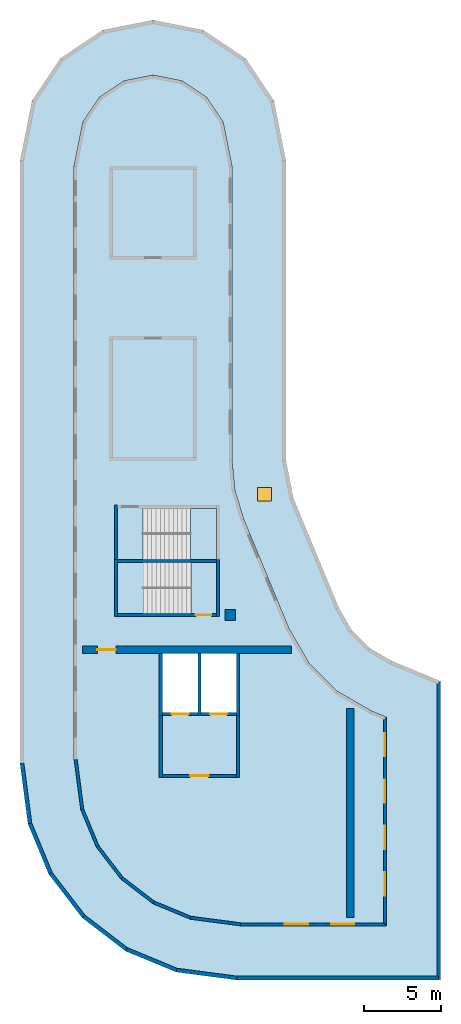
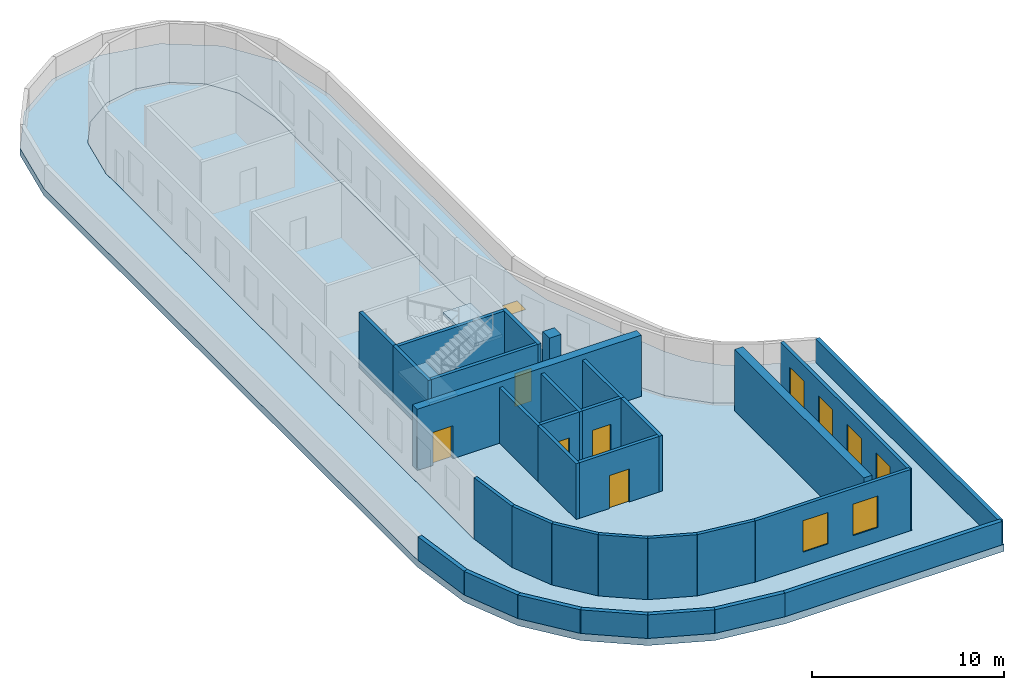
# One storey, part 1 of 4: 31 walls, 6 doors, 6 windows, 4 slabs, 1 column, 12 openings, 2 elements without a shape of their own.
"""IFC4 building model written with IfcOpenShell, lengths in metres."""

from ifc_helpers import new_model, si_unit, direction, frame, frame_2d, origin, origin_2d, place, context, subcontext, project, spatial, polyline, rectangle, outline, extrude, material, layer, layer_set, material_profile, profile_set, type_object, element, fill, aggregate, save


model = new_model("IFC4")

# Units and contexts
model_context = context("Model", 3, precision=1e-05, world=origin(), true_north=direction((0.0, 1.0)))
body_context = subcontext(model_context, "Body", "Model", "MODEL_VIEW")
ifc_project = project(units=[si_unit("LENGTHUNIT", "METRE"), si_unit("AREAUNIT", "SQUARE_METRE"), si_unit("VOLUMEUNIT", "CUBIC_METRE"), si_unit("PLANEANGLEUNIT", "RADIAN"), si_unit("MASSUNIT", "GRAM", prefix="KILO")], contexts=[model_context])

# Site, building, storey
site_placement = place(None, origin())
site = spatial("IfcSite", under=ifc_project, at=site_placement, CompositionType="ELEMENT")
building_placement = place(site_placement, origin())
building = spatial("IfcBuilding", under=site, at=building_placement, Name="Qaws Garden Tower", CompositionType="ELEMENT")
storey_placement = place(building_placement, frame((0.0, 0.0, 373.800048828125)))
storey = spatial("IfcBuildingStorey", under=building, at=storey_placement, Name="C3", CompositionType="ELEMENT", Elevation=373.800048828125)

# Column
ifc_material_1 = material(Name="Concrete C60", Category="concrete")
ifc_material_profile = material_profile(ifc_material_1, rectangle(XDim=0.699951171875, YDim=0.699951171875, at=origin_2d()), Name="RC 700x700")
ifc_profile_set = profile_set([ifc_material_profile], Name="Concrete C60")
column_type = type_object("IfcColumnType", Name="Column RC 700x700 C60", PredefinedType="COLUMN", material=ifc_profile_set)
column_placement = place(storey_placement, frame((20.0, 30.0, 0.0), z_axis=(0.0, 0.0, 1.0), x_axis=(1.0, 0.0, 0.0)))
element("IfcColumn", 1, at=column_placement, inside=storey, type_object=column_type, Name="Column C3-001", PredefinedType="COLUMN", context=body_context, shape_type="SweptSolid", body=[
    extrude(rectangle(XDim=0.699951171875, YDim=0.699951171875, at=origin_2d()), origin(), (0.0, 0.0, 1.0), 3.89990234375),
])

# Slab
ifc_material_2 = material(Name="Concrete C45", Category="concrete")
ifc_layer_1 = layer(ifc_material_2, 0.449951171875)
ifc_layer_set_1 = layer_set([ifc_layer_1], Name="Concrete C45")
slab_type_1 = type_object("IfcSlabType", Name="Floor slab 450 C45", PredefinedType="FLOOR", material=ifc_layer_set_1)
placement_1 = place(storey_placement, frame((0.0, 0.0, -0.449951171875)))
element("IfcSlab", 2, at=placement_1, inside=storey, type_object=slab_type_1, Name="Floor slab C3", PredefinedType="FLOOR", context=body_context, shape_type="SweptSolid", body=[
    extrude(outline(polyline([(17.407958984375, 10.32666015625), (14.99267578125, 11.3271484375), (12.918701171875, 12.918701171875), (11.3271484375, 14.99267578125), (10.32666015625, 17.407958984375), (9.89990234375, 20.64892578125), (9.89990234375, 59.02490234375), (10.46728515625, 61.87744140625), (11.531005859375, 63.468994140625), (13.12255859375, 64.53271484375), (15.0, 64.906005859375), (16.87744140625, 64.53271484375), (18.468994140625, 63.468994140625), (19.53271484375, 61.87744140625), (20.10009765625, 59.02490234375), (20.10009765625, 40.0), (20.290283203125, 38.068603515625), (20.853515625, 36.21142578125), (23.782470703125, 29.140380859375), (25.07470703125, 26.902099609375), (26.902099609375, 25.07470703125), (29.140380859375, 23.782470703125), (30.10009765625, 23.385009765625), (30.10009765625, 9.89990234375), (20.64892578125, 9.89990234375), (17.407958984375, 10.32666015625)]), holes=[polyline([(15.60009765625, 23.699951171875), (17.89990234375, 23.699951171875), (17.89990234375, 27.5), (15.60009765625, 27.5), (15.60009765625, 23.699951171875)]), polyline([(18.10009765625, 23.699951171875), (20.39990234375, 23.699951171875), (20.39990234375, 27.5), (18.10009765625, 27.5), (18.10009765625, 23.699951171875)]), polyline([(12.699951171875, 30.10009765625), (17.449462890625, 30.10009765625), (17.449462890625, 33.39990234375), (12.699951171875, 33.39990234375), (12.699951171875, 30.10009765625)]), polyline([(14.3505859375, 33.60009765625), (19.10009765625, 33.60009765625), (19.10009765625, 36.89990234375), (14.3505859375, 36.89990234375), (14.3505859375, 33.60009765625)])]), origin(), (0.0, 0.0, 1.0), 0.449951171875),
])

# Stair, slab
ifc_material_3 = material(Name="Concrete C40", Category="concrete")
stair_type = type_object("IfcStairType", Name="Exit stair 1350", PredefinedType="HALF_TURN_STAIR", material=ifc_material_3)
placement_2 = place(storey_placement, origin())
stair_1 = element("IfcStair", 3, at=placement_2, inside=storey, type_object=stair_type, Name="Stair 1", PredefinedType="HALF_TURN_STAIR")
ifc_material_4 = material(Name="Concrete C40", Category="concrete")
ifc_layer_2 = layer(ifc_material_4, 0.199951171875)
ifc_layer_set_2 = layer_set([ifc_layer_2], Name="Concrete C40")
slab_type_2 = type_object("IfcSlabType", Name="Stair landing 200", PredefinedType="LANDING", material=ifc_layer_set_2)
placement_3 = place(storey_placement, frame((0.0, 0.0, 1.75)))
slab_2 = element("IfcSlab", 4, at=placement_3, type_object=slab_type_2, Name="CS1 landing 1", PredefinedType="LANDING", context=body_context, shape_type="SweptSolid", body=[
    extrude(outline(polyline([(12.699951171875, 30.10009765625), (14.3701171875, 30.10009765625), (14.3701171875, 33.39990234375), (12.699951171875, 33.39990234375), (12.699951171875, 30.10009765625)])), origin(), (0.0, 0.0, 1.0), 0.199951171875),
])
aggregate(stair_1, [slab_2])

stair_2 = element("IfcStair", 5, at=placement_2, inside=storey, type_object=stair_type, Name="Stair 2", PredefinedType="HALF_TURN_STAIR")
slab_3 = element("IfcSlab", 6, at=placement_3, type_object=slab_type_2, Name="CS2 landing 1", PredefinedType="LANDING", context=body_context, shape_type="SweptSolid", body=[
    extrude(outline(polyline([(17.429931640625, 33.60009765625), (19.10009765625, 33.60009765625), (19.10009765625, 36.89990234375), (17.429931640625, 36.89990234375), (17.429931640625, 33.60009765625)])), origin(), (0.0, 0.0, 1.0), 0.199951171875),
])
aggregate(stair_2, [slab_3])

# Slab, opening, door
ifc_material_5 = material(Name="Concrete C45", Category="concrete")
ifc_layer_3 = layer(ifc_material_5, 0.449951171875)
ifc_layer_set_3 = layer_set([ifc_layer_3], Name="Concrete C45")
slab_type_3 = type_object("IfcSlabType", Name="Terrace slab 450 C45", PredefinedType="FLOOR", material=ifc_layer_set_3)
slab_4 = element("IfcSlab", 7, at=placement_1, inside=storey, type_object=slab_type_3, Name="Terrace slab C3", PredefinedType="FLOOR", context=body_context, shape_type="SweptSolid", body=[
    extrude(outline(polyline([(16.494384765625, 6.916748046875), (13.2275390625, 8.27001953125), (10.42236328125, 10.42236328125), (8.27001953125, 13.2275390625), (6.916748046875, 16.494384765625), (6.39990234375, 20.41943359375), (6.39990234375, 59.36962890625), (7.17041015625, 63.2431640625), (9.007568359375, 65.992431640625), (11.7568359375, 67.82958984375), (15.0, 68.474609375), (18.2431640625, 67.82958984375), (20.992431640625, 65.992431640625), (22.82958984375, 63.2431640625), (23.60009765625, 59.36962890625), (23.60009765625, 40.0), (24.087158203125, 37.55078125), (27.01611328125, 30.479736328125), (27.8515625, 29.032958984375), (29.032958984375, 27.8515625), (30.479736328125, 27.01611328125), (33.60009765625, 25.7236328125), (33.60009765625, 6.39990234375), (20.41943359375, 6.39990234375), (16.494384765625, 6.916748046875)]), holes=[polyline([(30.10009765625, 9.89990234375), (30.10009765625, 23.385009765625), (29.140380859375, 23.782470703125), (26.902099609375, 25.07470703125), (25.07470703125, 26.902099609375), (23.782470703125, 29.140380859375), (20.853515625, 36.21142578125), (20.290283203125, 38.068603515625), (20.10009765625, 40.0), (20.10009765625, 59.02490234375), (19.53271484375, 61.87744140625), (18.468994140625, 63.468994140625), (16.87744140625, 64.53271484375), (15.0, 64.906005859375), (13.12255859375, 64.53271484375), (11.531005859375, 63.468994140625), (10.46728515625, 61.87744140625), (9.89990234375, 59.02490234375), (9.89990234375, 20.64892578125), (10.32666015625, 17.407958984375), (11.3271484375, 14.99267578125), (12.918701171875, 12.918701171875), (14.99267578125, 11.3271484375), (17.407958984375, 10.32666015625), (20.64892578125, 9.89990234375), (30.10009765625, 9.89990234375)])]), origin(), (0.0, 0.0, 1.0), 0.449951171875),
])
opening_1_placement = place(placement_1, frame((22.220947265625, 37.81005859375, 0.0)))
opening_1 = element("IfcOpeningElement", 8, at=opening_1_placement, cuts=slab_4, Name="Opening PD10-01", PredefinedType="OPENING", context=body_context, shape_type="SweptSolid", body=[
    extrude(rectangle(XDim=0.89990234375, YDim=0.89990234375, at=origin_2d()), origin(), (0.0, 0.0, 1.0), 0.449951171875),
])
ifc_material_6 = material(Name="Aluminium hatch", Category="aluminium")
door_type_1 = type_object("IfcDoorType", Name="Roof hatch 900 x 900", OperationType="SINGLE_SWING_LEFT", PredefinedType="TRAPDOOR", material=ifc_material_6)
door_1_placement = place(opening_1_placement, frame((0.0, 0.0, 0.39990234375)))
door_1 = element("IfcDoor", 9, at=door_1_placement, inside=storey, type_object=door_type_1, Name="Maintenance terrace hatch", OperationType="SINGLE_SWING_LEFT", OverallHeight=0.89990234375, OverallWidth=0.89990234375, PredefinedType="TRAPDOOR", context=body_context, shape_type="SweptSolid", body=[
    extrude(rectangle(XDim=0.89990234375, YDim=0.89990234375, at=origin_2d()), origin(), (0.0, 0.0, 1.0), 0.050048828125),
])
fill(opening_1, door_1)

# Wall, opening, door
ifc_material_7 = material(Name="Concrete C60", Category="concrete")
ifc_layer_4 = layer(ifc_material_7, 0.199951171875)
ifc_layer_set_4 = layer_set([ifc_layer_4], Name="Concrete C60")
wall_type_1 = type_object("IfcWallType", Name="Core shaft wall 200 C60", PredefinedType="SHEAR", material=ifc_layer_set_4)
wall_1_placement = place(storey_placement, frame((12.699951171875, 30.0, 0.0), z_axis=(0.0, 0.0, 1.0), x_axis=(1.0, 0.0, 0.0)))
wall_1 = element("IfcWall", 10, at=wall_1_placement, inside=storey, type_object=wall_type_1, Name="Crown stair 1 wall", PredefinedType="SHEAR", context=body_context, shape_type="SweptSolid", body=[
    extrude(rectangle(XDim=6.400146484375, YDim=0.199951171875, at=frame_2d((3.2001953125, 0.0))), origin(), (0.0, 0.0, 1.0), 3.550048828125),
])
opening_2_placement = place(wall_1_placement, frame((5.074951171875, 0.0, 0.0)))
opening_2 = element("IfcOpeningElement", 11, at=opening_2_placement, cuts=wall_1, Name="Opening C1020", PredefinedType="OPENING", context=body_context, shape_type="SweptSolid", body=[
    extrude(rectangle(XDim=1.0, YDim=2.10009765625, at=frame_2d((0.5, 1.050048828125))), frame((0.0, 0.10986328125, 0.0), z_axis=(0.0, -1.0, 0.0), x_axis=(1.0, 0.0, 0.0)), (0.0, 0.0, 1.0), 0.219970703125),
])
ifc_material_8 = material(Name="Steel S235", Category="steel")
door_type_2 = type_object("IfcDoorType", Name="Stair door 1000x2100", OperationType="SINGLE_SWING_RIGHT", PredefinedType="DOOR", material=ifc_material_8)
door_2_placement = place(opening_2_placement, origin())
door_2 = element("IfcDoor", 12, at=door_2_placement, inside=storey, type_object=door_type_2, Name="Crown stair 1 door", OperationType="SINGLE_SWING_RIGHT", OverallHeight=2.10009765625, OverallWidth=1.0, PredefinedType="DOOR", context=body_context, shape_type="SweptSolid", body=[
    extrude(rectangle(XDim=1.0, YDim=2.10009765625, at=frame_2d((0.5, 1.050048828125))), frame((0.0, 0.02490234375, 0.0), z_axis=(0.0, -1.0, 0.0), x_axis=(1.0, 0.0, 0.0)), (0.0, 0.0, 1.0), 0.050048828125),
])
fill(opening_2, door_2)

# Walls
wall_2_placement = place(storey_placement, frame((12.699951171875, 33.5, 0.0), z_axis=(0.0, 0.0, 1.0), x_axis=(1.0, 0.0, 0.0)))
element("IfcWall", 13, at=wall_2_placement, inside=storey, type_object=wall_type_1, Name="Crown stair 1 wall", PredefinedType="SHEAR", context=body_context, shape_type="SweptSolid", body=[
    extrude(rectangle(XDim=6.400146484375, YDim=0.199951171875, at=frame_2d((3.2001953125, 0.0))), origin(), (0.0, 0.0, 1.0), 3.550048828125),
])
for number, where, z_axis, x_axis, name in (
    (14, (12.60009765625, 29.89990234375, 0.0), (0.0, 0.0, 1.0), (0.0, 1.0, 0.0), "Crown stair 1 wall"),
    (15, (19.199951171875, 29.89990234375, 0.0), (0.0, 0.0, 1.0), (0.0, 1.0, 0.0), "Crown stair 1 wall"),
    (16, (12.60009765625, 33.39990234375, 0.0), (0.0, 0.0, 1.0), (0.0, 1.0, 0.0), "Crown stair 2 wall"),
):
    element("IfcWall", number, at=place(storey_placement, frame(where, z_axis=z_axis, x_axis=x_axis)), inside=storey, type_object=wall_type_1, Name=name, PredefinedType="SHEAR", context=body_context, shape_type="SweptSolid", body=[
        extrude(rectangle(XDim=3.7001953125, YDim=0.199951171875, at=frame_2d((1.85009765625, 0.0))), origin(), (0.0, 0.0, 1.0), 3.550048828125),
    ])
for number, where, z_axis, x_axis, name in (
    (17, (15.5, 23.5, 0.0), (0.0, 0.0, 1.0), (0.0, 1.0, 0.0), "Lift shaft wall"),
    (18, (18.0, 23.5, 0.0), (0.0, 0.0, 1.0), (0.0, 1.0, 0.0), "Lift shaft wall"),
    (19, (20.5, 23.5, 0.0), (0.0, 0.0, 1.0), (0.0, 1.0, 0.0), "Lift shaft wall"),
):
    element("IfcWall", number, at=place(storey_placement, frame(where, z_axis=z_axis, x_axis=x_axis)), inside=storey, type_object=wall_type_1, Name=name, PredefinedType="SHEAR", context=body_context, shape_type="SweptSolid", body=[
        extrude(rectangle(XDim=4.0, YDim=0.199951171875, at=frame_2d((2.0, 0.0))), origin(), (0.0, 0.0, 1.0), 3.550048828125),
    ])

# Wall, opening, door
wall_3_placement = place(storey_placement, frame((15.60009765625, 23.60009765625, 0.0), z_axis=(0.0, 0.0, 1.0), x_axis=(1.0, 0.0, 0.0)))
wall_3 = element("IfcWall", 20, at=wall_3_placement, inside=storey, type_object=wall_type_1, Name="Lift shaft wall", PredefinedType="SHEAR", context=body_context, shape_type="SweptSolid", body=[
    extrude(rectangle(XDim=2.2998046875, YDim=0.199951171875, at=frame_2d((1.14990234375, 0.0))), origin(), (0.0, 0.0, 1.0), 3.550048828125),
])
opening_3_placement = place(wall_3_placement, frame((0.60009765625, 0.0, 0.0)))
opening_3 = element("IfcOpeningElement", 21, at=opening_3_placement, cuts=wall_3, Name="Opening LD", PredefinedType="OPENING", context=body_context, shape_type="SweptSolid", body=[
    extrude(rectangle(XDim=1.10009765625, YDim=2.10009765625, at=frame_2d((0.550048828125, 1.050048828125))), frame((0.0, 0.10986328125, 0.0), z_axis=(0.0, -1.0, 0.0), x_axis=(1.0, 0.0, 0.0)), (0.0, 0.0, 1.0), 0.219970703125),
])
ifc_material_9 = material(Name="Steel S235", Category="steel")
door_type_3 = type_object("IfcDoorType", Name="Landing door 1100x2100", OperationType="DOUBLE_DOOR_SLIDING", PredefinedType="DOOR", material=ifc_material_9)
door_3_placement = place(opening_3_placement, origin())
door_3 = element("IfcDoor", 22, at=door_3_placement, inside=storey, type_object=door_type_3, Name="Lift FF3 landing door", OperationType="DOUBLE_DOOR_SLIDING", OverallHeight=2.10009765625, OverallWidth=1.10009765625, PredefinedType="DOOR", context=body_context, shape_type="SweptSolid", body=[
    extrude(rectangle(XDim=1.10009765625, YDim=2.10009765625, at=frame_2d((0.550048828125, 1.050048828125))), frame((0.0, 0.02490234375, 0.0), z_axis=(0.0, -1.0, 0.0), x_axis=(1.0, 0.0, 0.0)), (0.0, 0.0, 1.0), 0.050048828125),
])
fill(opening_3, door_3)

wall_4_placement = place(storey_placement, frame((18.10009765625, 23.60009765625, 0.0), z_axis=(0.0, 0.0, 1.0), x_axis=(1.0, 0.0, 0.0)))
wall_4 = element("IfcWall", 23, at=wall_4_placement, inside=storey, type_object=wall_type_1, Name="Lift shaft wall", PredefinedType="SHEAR", context=body_context, shape_type="SweptSolid", body=[
    extrude(rectangle(XDim=2.2998046875, YDim=0.199951171875, at=frame_2d((1.14990234375, 0.0))), origin(), (0.0, 0.0, 1.0), 3.550048828125),
])
opening_4_placement = place(wall_4_placement, frame((0.60009765625, 0.0, 0.0)))
opening_4 = element("IfcOpeningElement", 24, at=opening_4_placement, cuts=wall_4, Name="Opening LD", PredefinedType="OPENING", context=body_context, shape_type="SweptSolid", body=[
    extrude(rectangle(XDim=1.10009765625, YDim=2.10009765625, at=frame_2d((0.550048828125, 1.050048828125))), frame((0.0, 0.10986328125, 0.0), z_axis=(0.0, -1.0, 0.0), x_axis=(1.0, 0.0, 0.0)), (0.0, 0.0, 1.0), 0.219970703125),
])
door_4_placement = place(opening_4_placement, origin())
door_4 = element("IfcDoor", 25, at=door_4_placement, inside=storey, type_object=door_type_3, Name="Lift SV2 landing door", OperationType="DOUBLE_DOOR_SLIDING", OverallHeight=2.10009765625, OverallWidth=1.10009765625, PredefinedType="DOOR", context=body_context, shape_type="SweptSolid", body=[
    extrude(rectangle(XDim=1.10009765625, YDim=2.10009765625, at=frame_2d((0.550048828125, 1.050048828125))), frame((0.0, 0.02490234375, 0.0), z_axis=(0.0, -1.0, 0.0), x_axis=(1.0, 0.0, 0.0)), (0.0, 0.0, 1.0), 0.050048828125),
])
fill(opening_4, door_4)

# Walls
for number, where, z_axis, x_axis, name in (
    (26, (15.5, 19.5, 0.0), (0.0, 0.0, 1.0), (0.0, 1.0, 0.0), "Lift lobby wall"),
    (27, (20.5, 19.5, 0.0), (0.0, 0.0, 1.0), (0.0, 1.0, 0.0), "Lift lobby wall"),
):
    element("IfcWall", number, at=place(storey_placement, frame(where, z_axis=z_axis, x_axis=x_axis)), inside=storey, type_object=wall_type_1, Name=name, PredefinedType="SHEAR", context=body_context, shape_type="SweptSolid", body=[
        extrude(rectangle(XDim=4.0, YDim=0.199951171875, at=frame_2d((2.0, 0.0))), origin(), (0.0, 0.0, 1.0), 3.550048828125),
    ])

# Wall, opening, door
wall_5_placement = place(storey_placement, frame((15.60009765625, 19.60009765625, 0.0), z_axis=(0.0, 0.0, 1.0), x_axis=(1.0, 0.0, 0.0)))
wall_5 = element("IfcWall", 28, at=wall_5_placement, inside=storey, type_object=wall_type_1, Name="Lift lobby wall", PredefinedType="SHEAR", context=body_context, shape_type="SweptSolid", body=[
    extrude(rectangle(XDim=4.7998046875, YDim=0.199951171875, at=frame_2d((2.39990234375, 0.0))), origin(), (0.0, 0.0, 1.0), 3.550048828125),
])
opening_5_placement = place(wall_5_placement, frame((1.800048828125, 0.0, 0.0)))
opening_5 = element("IfcOpeningElement", 29, at=opening_5_placement, cuts=wall_5, Name="Opening FD", PredefinedType="OPENING", context=body_context, shape_type="SweptSolid", body=[
    extrude(rectangle(XDim=1.199951171875, YDim=2.10009765625, at=frame_2d((0.60009765625, 1.050048828125))), frame((0.0, 0.10986328125, 0.0), z_axis=(0.0, -1.0, 0.0), x_axis=(1.0, 0.0, 0.0)), (0.0, 0.0, 1.0), 0.219970703125),
])
ifc_material_10 = material(Name="Steel S235", Category="steel")
door_type_4 = type_object("IfcDoorType", Name="Lobby door 1200x2100", OperationType="DOUBLE_DOOR_SINGLE_SWING", PredefinedType="DOOR", material=ifc_material_10)
door_5_placement = place(opening_5_placement, origin())
door_5 = element("IfcDoor", 30, at=door_5_placement, inside=storey, type_object=door_type_4, Name="Crown lift lobby door", OperationType="DOUBLE_DOOR_SINGLE_SWING", OverallHeight=2.10009765625, OverallWidth=1.199951171875, PredefinedType="DOOR", context=body_context, shape_type="SweptSolid", body=[
    extrude(rectangle(XDim=1.199951171875, YDim=2.10009765625, at=frame_2d((0.60009765625, 1.050048828125))), frame((0.0, 0.02490234375, 0.0), z_axis=(0.0, -1.0, 0.0), x_axis=(1.0, 0.0, 0.0)), (0.0, 0.0, 1.0), 0.050048828125),
])
fill(opening_5, door_5)

# Wall
ifc_material_11 = material(Name="Concrete C60", Category="concrete")
ifc_layer_5 = layer(ifc_material_11, 0.5)
ifc_layer_set_5 = layer_set([ifc_layer_5], Name="Concrete C60")
wall_type_2 = type_object("IfcWallType", Name="Core wall 500 C60", PredefinedType="SHEAR", material=ifc_layer_set_5)
wall_6_placement = place(storey_placement, frame((27.75, 10.449951171875, 0.0), z_axis=(0.0, 0.0, 1.0), x_axis=(0.0, 1.0, 0.0)))
element("IfcWall", 31, at=wall_6_placement, inside=storey, type_object=wall_type_2, Name="Core wall C3 east", PredefinedType="SHEAR", context=body_context, shape_type="SweptSolid", body=[
    extrude(rectangle(XDim=13.500244140625, YDim=0.5, at=frame_2d((6.75, 0.0))), origin(), (0.0, 0.0, 1.0), 3.89990234375),
])

# Wall, opening, door
wall_7_placement = place(storey_placement, frame((23.9501953125, 27.75, 0.0), z_axis=(0.0, 0.0, 1.0), x_axis=(-1.0, 0.0, 0.0)))
wall_7 = element("IfcWall", 32, at=wall_7_placement, inside=storey, type_object=wall_type_2, Name="Core wall C3 north", PredefinedType="SHEAR", context=body_context, shape_type="SweptSolid", body=[
    extrude(rectangle(XDim=13.500244140625, YDim=0.5, at=frame_2d((6.75, 0.0))), origin(), (0.0, 0.0, 1.0), 3.89990234375),
])
opening_6_placement = place(wall_7_placement, frame((11.35009765625, 0.0, 0.0)))
opening_6 = element("IfcOpeningElement", 33, at=opening_6_placement, cuts=wall_7, Name="Opening FD", PredefinedType="OPENING", context=body_context, shape_type="SweptSolid", body=[
    extrude(rectangle(XDim=1.199951171875, YDim=2.10009765625, at=frame_2d((0.60009765625, 1.050048828125))), frame((0.0, 0.260009765625, 0.0), z_axis=(0.0, -1.0, 0.0), x_axis=(1.0, 0.0, 0.0)), (0.0, 0.0, 1.0), 0.52001953125),
])
door_6_placement = place(opening_6_placement, frame((1.199951171875, 0.0, 0.0), z_axis=(0.0, 0.0, 1.0), x_axis=(-1.0, 0.0, 0.0)))
door_6 = element("IfcDoor", 34, at=door_6_placement, inside=storey, type_object=door_type_4, Name="Core corridor door", OperationType="DOUBLE_DOOR_SINGLE_SWING", OverallHeight=2.10009765625, OverallWidth=1.199951171875, PredefinedType="DOOR", context=body_context, shape_type="SweptSolid", body=[
    extrude(rectangle(XDim=1.199951171875, YDim=2.10009765625, at=frame_2d((0.60009765625, 1.050048828125))), frame((0.0, 0.02490234375, 0.0), z_axis=(0.0, -1.0, 0.0), x_axis=(1.0, 0.0, 0.0)), (0.0, 0.0, 1.0), 0.050048828125),
])
fill(opening_6, door_6)

# Walls
ifc_material_12 = material(Name="Brick masonry", Category="masonry")
ifc_layer_6 = layer(ifc_material_12, 0.25)
ifc_layer_set_6 = layer_set([ifc_layer_6], Name="Brick masonry")
wall_type_3 = type_object("IfcWallType", Name="Parapet 250", PredefinedType="PARAPET", material=ifc_layer_set_6)
wall_8_placement = place(storey_placement, frame((20.427734375, 6.52490234375, 0.0), z_axis=(0.0, 0.0, 1.0), x_axis=(-0.991440138477, 0.130562061173, 0.0)))
element("IfcWall", 35, at=wall_8_placement, inside=storey, type_object=wall_type_3, Name="Maintenance terrace parapet C3", PredefinedType="PARAPET", context=body_context, shape_type="SweptSolid", body=[
    extrude(rectangle(XDim=3.934326171875, YDim=0.25, at=frame_2d((1.96728515625, 0.0))), origin(), (0.0, 0.0, 1.0), 1.5),
])
for number, where, z_axis, x_axis, name in (
    (36, (16.527099609375, 7.03857421875, 0.0), (0.0, 0.0, 1.0), (-0.923874973465, 0.382694438692, 0.0), "Maintenance terrace parapet C3"),
    (37, (13.290771484375, 8.379150390625, 0.0), (0.0, 0.0, 1.0), (-0.793395427372, 0.608706576131, 0.0), "Maintenance terrace parapet C3"),
    (38, (10.511474609375, 10.511474609375, 0.0), (0.0, 0.0, 1.0), (-0.608706576131, 0.793395427372, 0.0), "Maintenance terrace parapet C3"),
    (39, (8.379150390625, 13.290771484375, 0.0), (0.0, 0.0, 1.0), (-0.382694438692, 0.923874973465, 0.0), "Maintenance terrace parapet C3"),
):
    element("IfcWall", number, at=place(storey_placement, frame(where, z_axis=z_axis, x_axis=x_axis)), inside=storey, type_object=wall_type_3, Name=name, PredefinedType="PARAPET", context=body_context, shape_type="SweptSolid", body=[
        extrude(rectangle(XDim=3.5029296875, YDim=0.25, at=frame_2d((1.75146484375, 0.0))), origin(), (0.0, 0.0, 1.0), 1.5),
    ])
wall_9_placement = place(storey_placement, frame((7.03857421875, 16.527099609375, 0.0), z_axis=(0.0, 0.0, 1.0), x_axis=(-0.130562061173, 0.991440138477, 0.0)))
element("IfcWall", 40, at=wall_9_placement, inside=storey, type_object=wall_type_3, Name="Maintenance terrace parapet C3", PredefinedType="PARAPET", context=body_context, shape_type="SweptSolid", body=[
    extrude(rectangle(XDim=3.934326171875, YDim=0.25, at=frame_2d((1.96728515625, 0.0))), origin(), (0.0, 0.0, 1.0), 1.5),
])
wall_10_placement = place(storey_placement, frame((33.47509765625, 25.64013671875, 0.0), z_axis=(0.0, 0.0, 1.0), x_axis=(0.0, -1.0, 0.0)))
element("IfcWall", 41, at=wall_10_placement, inside=storey, type_object=wall_type_3, Name="Maintenance terrace parapet C3", PredefinedType="PARAPET", context=body_context, shape_type="SweptSolid", body=[
    extrude(rectangle(XDim=19.115234375, YDim=0.25, at=frame_2d((9.5576171875, 0.0))), origin(), (0.0, 0.0, 1.0), 1.5),
])
wall_11_placement = place(storey_placement, frame((33.47509765625, 6.52490234375, 0.0), z_axis=(0.0, 0.0, 1.0), x_axis=(-1.0, 0.0, 0.0)))
element("IfcWall", 42, at=wall_11_placement, inside=storey, type_object=wall_type_3, Name="Maintenance terrace parapet C3", PredefinedType="PARAPET", context=body_context, shape_type="SweptSolid", body=[
    extrude(rectangle(XDim=13.04736328125, YDim=0.25, at=frame_2d((6.523681640625, 0.0))), origin(), (0.0, 0.0, 1.0), 1.5),
])
ifc_material_13 = material(Name="Brick masonry", Category="masonry")
ifc_layer_7 = layer(ifc_material_13, 0.199951171875)
ifc_layer_set_7 = layer_set([ifc_layer_7], Name="Brick masonry")
wall_type_4 = type_object("IfcWallType", Name="Plant screen louvre 200", PredefinedType="STANDARD", material=ifc_layer_set_7)
wall_12_placement = place(storey_placement, frame((20.655517578125, 10.0, 0.0), z_axis=(0.0, 0.0, 1.0), x_axis=(-0.9914463656, 0.130514765976, 0.0)))
element("IfcWall", 43, at=wall_12_placement, inside=storey, type_object=wall_type_4, Name="Plant screen wall C3 1", PredefinedType="STANDARD", context=body_context, shape_type="SweptSolid", body=[
    extrude(rectangle(XDim=3.249267578125, YDim=0.199951171875, at=frame_2d((1.62451171875, 0.0))), origin(), (0.0, 0.0, 1.0), 3.89990234375),
])
for number, where, z_axis, x_axis, name in (
    (44, (17.43408203125, 10.424072265625, 0.0), (0.0, 0.0, 1.0), (-0.92385929936, 0.382732275861, 0.0), "Plant screen wall C3 2"),
    (45, (15.043212890625, 11.41455078125, 0.0), (0.0, 0.0, 1.0), (-0.79336336211, 0.608748368097, 0.0), "Plant screen wall C3 3"),
    (46, (12.989990234375, 12.989990234375, 0.0), (0.0, 0.0, 1.0), (-0.608748368097, 0.79336336211, 0.0), "Plant screen wall C3 4"),
    (47, (11.41455078125, 15.043212890625, 0.0), (0.0, 0.0, 1.0), (-0.382732275861, 0.92385929936, 0.0), "Plant screen wall C3 5"),
):
    element("IfcWall", number, at=place(storey_placement, frame(where, z_axis=z_axis, x_axis=x_axis)), inside=storey, type_object=wall_type_4, Name=name, PredefinedType="STANDARD", context=body_context, shape_type="SweptSolid", body=[
        extrude(rectangle(XDim=2.587890625, YDim=0.199951171875, at=frame_2d((1.2939453125, 0.0))), origin(), (0.0, 0.0, 1.0), 3.89990234375),
    ])
wall_13_placement = place(storey_placement, frame((10.424072265625, 17.43408203125, 0.0), z_axis=(0.0, 0.0, 1.0), x_axis=(-0.130514765976, 0.9914463656, 0.0)))
element("IfcWall", 48, at=wall_13_placement, inside=storey, type_object=wall_type_4, Name="Plant screen wall C3 6", PredefinedType="STANDARD", context=body_context, shape_type="SweptSolid", body=[
    extrude(rectangle(XDim=3.249267578125, YDim=0.199951171875, at=frame_2d((1.62451171875, 0.0))), origin(), (0.0, 0.0, 1.0), 3.89990234375),
])

# Wall, openings, windows
wall_14_placement = place(storey_placement, frame((30.0, 23.318115234375, 0.0), z_axis=(0.0, 0.0, 1.0), x_axis=(0.0, -1.0, 0.0)))
wall_14 = element("IfcWall", 49, at=wall_14_placement, inside=storey, type_object=wall_type_4, Name="Plant screen wall C3 24", PredefinedType="STANDARD", context=body_context, shape_type="SweptSolid", body=[
    extrude(rectangle(XDim=13.318115234375, YDim=0.199951171875, at=frame_2d((6.6591796875, 0.0))), origin(), (0.0, 0.0, 1.0), 3.89990234375),
])
opening_7_placement = place(wall_14_placement, frame((0.958984375, 0.0, 0.89990234375)))
opening_7 = element("IfcOpeningElement", 50, at=opening_7_placement, cuts=wall_14, Name="Opening PW-S4", PredefinedType="OPENING", context=body_context, shape_type="SweptSolid", body=[
    extrude(rectangle(XDim=1.5, YDim=2.0, at=frame_2d((0.75, 1.0))), frame((0.0, 0.10986328125, 0.0), z_axis=(0.0, -1.0, 0.0), x_axis=(1.0, 0.0, 0.0)), (0.0, 0.0, 1.0), 0.219970703125),
])
opening_8_placement = place(wall_14_placement, frame((3.958984375, 0.0, 0.89990234375)))
opening_8 = element("IfcOpeningElement", 51, at=opening_8_placement, cuts=wall_14, Name="Opening PW-S4", PredefinedType="OPENING", context=body_context, shape_type="SweptSolid", body=[
    extrude(rectangle(XDim=1.5, YDim=2.0, at=frame_2d((0.75, 1.0))), frame((0.0, 0.10986328125, 0.0), z_axis=(0.0, -1.0, 0.0), x_axis=(1.0, 0.0, 0.0)), (0.0, 0.0, 1.0), 0.219970703125),
])
opening_9_placement = place(wall_14_placement, frame((6.958984375, 0.0, 0.89990234375)))
opening_9 = element("IfcOpeningElement", 52, at=opening_9_placement, cuts=wall_14, Name="Opening PW-S4", PredefinedType="OPENING", context=body_context, shape_type="SweptSolid", body=[
    extrude(rectangle(XDim=1.5, YDim=2.0, at=frame_2d((0.75, 1.0))), frame((0.0, 0.10986328125, 0.0), z_axis=(0.0, -1.0, 0.0), x_axis=(1.0, 0.0, 0.0)), (0.0, 0.0, 1.0), 0.219970703125),
])
opening_10_placement = place(wall_14_placement, frame((9.958984375, 0.0, 0.89990234375)))
opening_10 = element("IfcOpeningElement", 53, at=opening_10_placement, cuts=wall_14, Name="Opening PW-S4", PredefinedType="OPENING", context=body_context, shape_type="SweptSolid", body=[
    extrude(rectangle(XDim=1.5, YDim=2.0, at=frame_2d((0.75, 1.0))), frame((0.0, 0.10986328125, 0.0), z_axis=(0.0, -1.0, 0.0), x_axis=(1.0, 0.0, 0.0)), (0.0, 0.0, 1.0), 0.219970703125),
])
ifc_material_14 = material(Name="Aluminium louvre", Category="aluminium")
window_type = type_object("IfcWindowType", Name="Plant louvre 1500", PartitioningType="SINGLE_PANEL", PredefinedType="WINDOW", material=ifc_material_14)
window_1_placement = place(opening_7_placement, origin())
window_1 = element("IfcWindow", 54, at=window_1_placement, inside=storey, type_object=window_type, Name="Plant louvre", OverallHeight=2.0, OverallWidth=1.5, PartitioningType="SINGLE_PANEL", PredefinedType="WINDOW", context=body_context, shape_type="SweptSolid", body=[
    extrude(rectangle(XDim=1.5, YDim=2.0, at=frame_2d((0.75, 1.0))), frame((0.0, 0.030029296875, 0.0), z_axis=(0.0, -1.0, 0.0), x_axis=(1.0, 0.0, 0.0)), (0.0, 0.0, 1.0), 0.06005859375),
])
fill(opening_7, window_1)
window_2_placement = place(opening_8_placement, origin())
window_2 = element("IfcWindow", 55, at=window_2_placement, inside=storey, type_object=window_type, Name="Plant louvre", OverallHeight=2.0, OverallWidth=1.5, PartitioningType="SINGLE_PANEL", PredefinedType="WINDOW", context=body_context, shape_type="SweptSolid", body=[
    extrude(rectangle(XDim=1.5, YDim=2.0, at=frame_2d((0.75, 1.0))), frame((0.0, 0.030029296875, 0.0), z_axis=(0.0, -1.0, 0.0), x_axis=(1.0, 0.0, 0.0)), (0.0, 0.0, 1.0), 0.06005859375),
])
fill(opening_8, window_2)
window_3_placement = place(opening_9_placement, origin())
window_3 = element("IfcWindow", 56, at=window_3_placement, inside=storey, type_object=window_type, Name="Plant louvre", OverallHeight=2.0, OverallWidth=1.5, PartitioningType="SINGLE_PANEL", PredefinedType="WINDOW", context=body_context, shape_type="SweptSolid", body=[
    extrude(rectangle(XDim=1.5, YDim=2.0, at=frame_2d((0.75, 1.0))), frame((0.0, 0.030029296875, 0.0), z_axis=(0.0, -1.0, 0.0), x_axis=(1.0, 0.0, 0.0)), (0.0, 0.0, 1.0), 0.06005859375),
])
fill(opening_9, window_3)
window_4_placement = place(opening_10_placement, origin())
window_4 = element("IfcWindow", 57, at=window_4_placement, inside=storey, type_object=window_type, Name="Plant louvre", OverallHeight=2.0, OverallWidth=1.5, PartitioningType="SINGLE_PANEL", PredefinedType="WINDOW", context=body_context, shape_type="SweptSolid", body=[
    extrude(rectangle(XDim=1.5, YDim=2.0, at=frame_2d((0.75, 1.0))), frame((0.0, 0.030029296875, 0.0), z_axis=(0.0, -1.0, 0.0), x_axis=(1.0, 0.0, 0.0)), (0.0, 0.0, 1.0), 0.06005859375),
])
fill(opening_10, window_4)

wall_15_placement = place(storey_placement, frame((30.0, 10.0, 0.0), z_axis=(0.0, 0.0, 1.0), x_axis=(-1.0, 0.0, 0.0)))
wall_15 = element("IfcWall", 58, at=wall_15_placement, inside=storey, type_object=wall_type_4, Name="Plant screen wall C3 25", PredefinedType="STANDARD", context=body_context, shape_type="SweptSolid", body=[
    extrude(rectangle(XDim=9.344482421875, YDim=0.199951171875, at=frame_2d((4.67236328125, 0.0))), origin(), (0.0, 0.0, 1.0), 3.89990234375),
])
opening_11_placement = place(wall_15_placement, frame((1.972412109375, 0.0, 0.89990234375)))
opening_11 = element("IfcOpeningElement", 59, at=opening_11_placement, cuts=wall_15, Name="Opening PW-S4", PredefinedType="OPENING", context=body_context, shape_type="SweptSolid", body=[
    extrude(rectangle(XDim=1.5, YDim=2.0, at=frame_2d((0.75, 1.0))), frame((0.0, 0.10986328125, 0.0), z_axis=(0.0, -1.0, 0.0), x_axis=(1.0, 0.0, 0.0)), (0.0, 0.0, 1.0), 0.219970703125),
])
opening_12_placement = place(wall_15_placement, frame((4.972412109375, 0.0, 0.89990234375)))
opening_12 = element("IfcOpeningElement", 60, at=opening_12_placement, cuts=wall_15, Name="Opening PW-S4", PredefinedType="OPENING", context=body_context, shape_type="SweptSolid", body=[
    extrude(rectangle(XDim=1.5, YDim=2.0, at=frame_2d((0.75, 1.0))), frame((0.0, 0.10986328125, 0.0), z_axis=(0.0, -1.0, 0.0), x_axis=(1.0, 0.0, 0.0)), (0.0, 0.0, 1.0), 0.219970703125),
])
window_5_placement = place(opening_11_placement, origin())
window_5 = element("IfcWindow", 61, at=window_5_placement, inside=storey, type_object=window_type, Name="Plant louvre", OverallHeight=2.0, OverallWidth=1.5, PartitioningType="SINGLE_PANEL", PredefinedType="WINDOW", context=body_context, shape_type="SweptSolid", body=[
    extrude(rectangle(XDim=1.5, YDim=2.0, at=frame_2d((0.75, 1.0))), frame((0.0, 0.030029296875, 0.0), z_axis=(0.0, -1.0, 0.0), x_axis=(1.0, 0.0, 0.0)), (0.0, 0.0, 1.0), 0.06005859375),
])
fill(opening_11, window_5)
window_6_placement = place(opening_12_placement, origin())
window_6 = element("IfcWindow", 62, at=window_6_placement, inside=storey, type_object=window_type, Name="Plant louvre", OverallHeight=2.0, OverallWidth=1.5, PartitioningType="SINGLE_PANEL", PredefinedType="WINDOW", context=body_context, shape_type="SweptSolid", body=[
    extrude(rectangle(XDim=1.5, YDim=2.0, at=frame_2d((0.75, 1.0))), frame((0.0, 0.030029296875, 0.0), z_axis=(0.0, -1.0, 0.0), x_axis=(1.0, 0.0, 0.0)), (0.0, 0.0, 1.0), 0.06005859375),
])
fill(opening_12, window_6)

save(model, "model.ifc")
